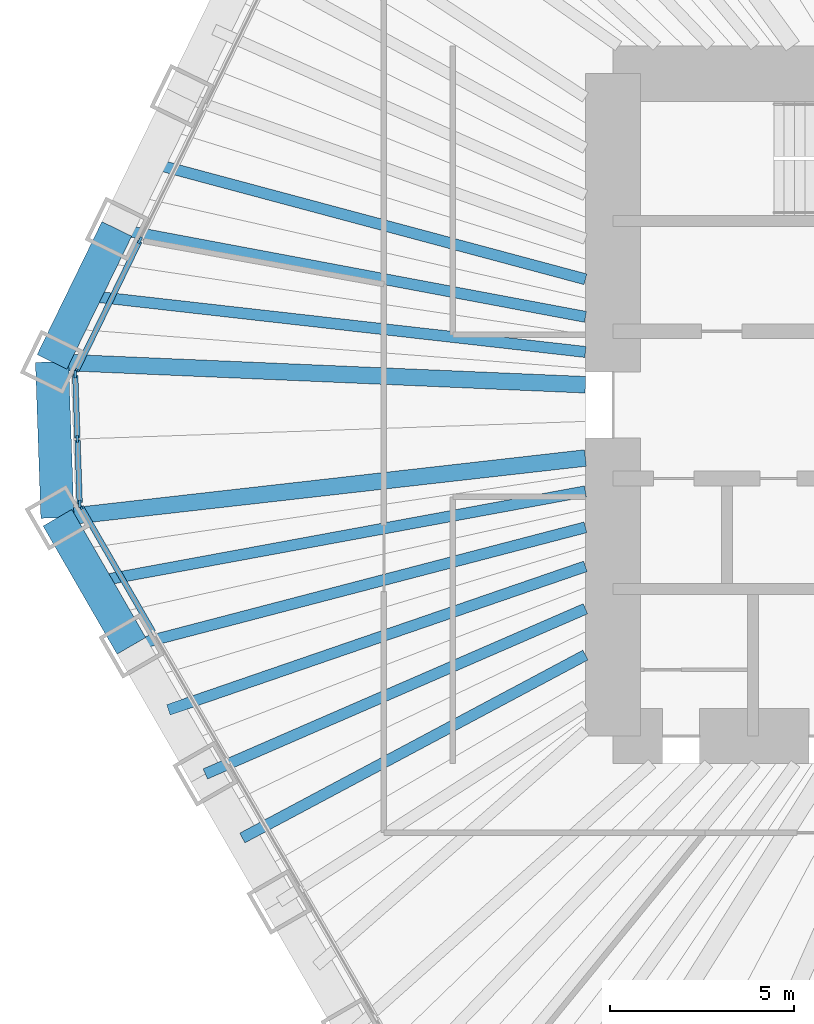
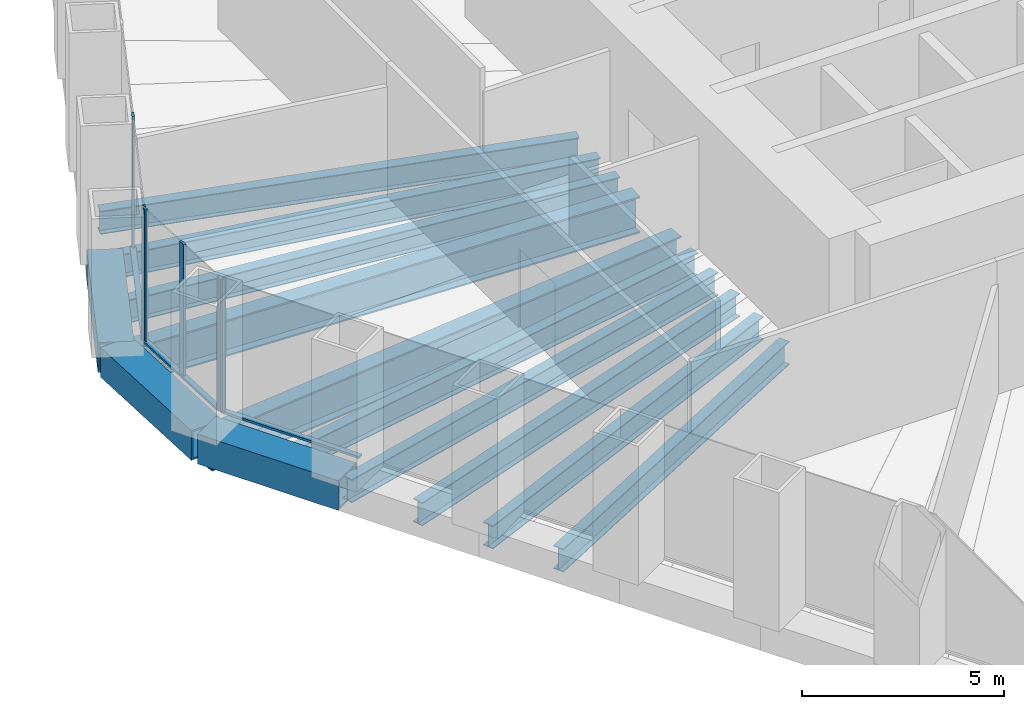
# One storey, part 3 of 13: 13 beams, 10 members, 3 elements without a shape of their own.
"""IFC4 building model written with IfcOpenShell, lengths in metres."""

from ifc_helpers import new_model, si_unit, direction, frame, origin, origin_2d, place, context, subcontext, project, spatial, rectangle, hollow_rectangle, i_section, extrude, material, material_profile, profile_set, type_object, element, aggregate, save


model = new_model("IFC4")

# Units and contexts
model_context = context("Model", 3, precision=1e-05, world=origin(), true_north=direction((0.0, 1.0)))
body_context = subcontext(model_context, "Body", "Model", "MODEL_VIEW")
ifc_project = project(units=[si_unit("LENGTHUNIT", "METRE"), si_unit("AREAUNIT", "SQUARE_METRE"), si_unit("VOLUMEUNIT", "CUBIC_METRE"), si_unit("PLANEANGLEUNIT", "RADIAN"), si_unit("MASSUNIT", "GRAM", prefix="KILO")], contexts=[model_context])

# Site, building, storey
site_placement = place(None, origin())
site = spatial("IfcSite", under=ifc_project, at=site_placement, CompositionType="ELEMENT")
building_placement = place(site_placement, origin())
building = spatial("IfcBuilding", under=site, at=building_placement, Name="Qingtian Harvest Tower", CompositionType="ELEMENT")
storey_placement = place(building_placement, frame((0.0, 0.0, 111.39990234375)))
storey = spatial("IfcBuildingStorey", under=building, at=storey_placement, Name="L22", CompositionType="ELEMENT", Elevation=111.39990234375)

# Beams
ifc_material_1 = material(Name="Steel SM570MC", Category="steel")
ifc_material_profile_1 = material_profile(ifc_material_1, i_section(OverallWidth=0.449951171875, OverallDepth=1.10009765625, WebThickness=0.02197265625, FlangeThickness=0.044921875, at=origin_2d()), Name="H1100x450x22x45")
ifc_profile_set_1 = profile_set([ifc_material_profile_1], Name="Steel SM570MC")
beam_type_1 = type_object("IfcBeamType", Name="Corner floor beam FB8 H1100x450x22x45", PredefinedType="BEAM", material=ifc_profile_set_1)
beam_1_placement = place(storey_placement, frame((-27.096923828125, -3.066650390625, -0.719970703125), z_axis=(0.993656070393, 0.112461610213, 0.0), x_axis=(-0.112461610213, 0.993656070393, 0.0)))
element("IfcBeam", 1, at=beam_1_placement, inside=storey, type_object=beam_type_1, Name="Floor beam FB8 SW6", PredefinedType="BEAM", context=body_context, shape_type="SweptSolid", body=[
    extrude(i_section(OverallWidth=0.449951171875, OverallDepth=1.10009765625, WebThickness=0.02197265625, FlangeThickness=0.044921875, at=origin_2d()), origin(), (0.0, 0.0, 1.0), 14.4384765625),
])
beam_2_placement = place(storey_placement, frame((-27.244873046875, 1.1689453125, -0.719970703125), z_axis=(0.999081074678, -0.042860310542, 0.0), x_axis=(0.042860310542, 0.999081074678, 0.0)))
element("IfcBeam", 2, at=beam_2_placement, inside=storey, type_object=beam_type_1, Name="Floor beam FB8 NW0", PredefinedType="BEAM", context=body_context, shape_type="SweptSolid", body=[
    extrude(i_section(OverallWidth=0.449951171875, OverallDepth=1.10009765625, WebThickness=0.02197265625, FlangeThickness=0.044921875, at=origin_2d()), origin(), (0.0, 0.0, 1.0), 14.50830078125),
])
ifc_material_2 = material(Name="Steel SN490B", Category="steel")
ifc_material_profile_2 = material_profile(ifc_material_2, i_section(OverallWidth=0.300048828125, OverallDepth=0.699951171875, WebThickness=0.012939453125, FlangeThickness=0.02392578125, at=origin_2d()), Name="H700x300x13x24")
ifc_profile_set_2 = profile_set([ifc_material_profile_2], Name="Steel SN490B")
beam_type_2 = type_object("IfcBeamType", Name="Floor beam FB2 H700x300x13x24", PredefinedType="BEAM", material=ifc_profile_set_2)
beam_3_placement = place(storey_placement, frame((-23.077880859375, -10.02783203125, -0.52001953125), z_axis=(0.917154138631, 0.398532666154, 0.0), x_axis=(-0.398532666154, 0.917154138631, 0.0)))
element("IfcBeam", 3, at=beam_3_placement, inside=storey, type_object=beam_type_2, Name="Floor beam FB2 SW4", PredefinedType="BEAM", context=body_context, shape_type="SweptSolid", body=[
    extrude(i_section(OverallWidth=0.300048828125, OverallDepth=0.699951171875, WebThickness=0.012939453125, FlangeThickness=0.02392578125, at=origin_2d()), origin(), (0.0, 0.0, 1.0), 11.2607421875),
])
beam_4_placement = place(storey_placement, frame((-25.08740234375, -6.547119140625, -0.52001953125), z_axis=(0.967592867696, 0.252515429991, 0.0), x_axis=(-0.252515429991, 0.967592867696, 0.0)))
element("IfcBeam", 4, at=beam_4_placement, inside=storey, type_object=beam_type_2, Name="Floor beam FB2 SW5", PredefinedType="BEAM", context=body_context, shape_type="SweptSolid", body=[
    extrude(i_section(OverallWidth=0.300048828125, OverallDepth=0.699951171875, WebThickness=0.012939453125, FlangeThickness=0.02392578125, at=origin_2d()), origin(), (0.0, 0.0, 1.0), 12.750732421875),
])
beam_5_placement = place(storey_placement, frame((-25.483154296875, 4.78125, -0.52001953125), z_axis=(0.982851913913, -0.184396625015, 0.0), x_axis=(0.184396625015, 0.982851913913, 0.0)))
element("IfcBeam", 5, at=beam_5_placement, inside=storey, type_object=beam_type_2, Name="Floor beam FB2 NW1", PredefinedType="BEAM", context=body_context, shape_type="SweptSolid", body=[
    extrude(i_section(OverallWidth=0.300048828125, OverallDepth=0.699951171875, WebThickness=0.012939453125, FlangeThickness=0.02392578125, at=origin_2d()), origin(), (0.0, 0.0, 1.0), 12.955322265625),
])
ifc_material_3 = material(Name="Steel SN490B", Category="steel")
ifc_material_profile_3 = material_profile(ifc_material_3, i_section(OverallWidth=0.300048828125, OverallDepth=0.699951171875, WebThickness=0.012939453125, FlangeThickness=0.02392578125, at=origin_2d()), Name="H700x300x13x24")
ifc_profile_set_3 = profile_set([ifc_material_profile_3], Name="Steel SN490B")
beam_type_3 = type_object("IfcBeamType", Name="Floor joist J2 H700x300x13x24", PredefinedType="JOIST", material=ifc_profile_set_3)
beam_6_placement = place(storey_placement, frame((-22.0732421875, -11.76806640625, -0.52001953125), z_axis=(0.882429048443, 0.47044550637, 0.0), x_axis=(-0.47044550637, 0.882429048443, 0.0)))
element("IfcBeam", 6, at=beam_6_placement, inside=storey, type_object=beam_type_3, Name="Floor joist J2 SW3", PredefinedType="JOIST", context=body_context, shape_type="SweptSolid", body=[
    extrude(i_section(OverallWidth=0.300048828125, OverallDepth=0.699951171875, WebThickness=0.012939453125, FlangeThickness=0.02392578125, at=origin_2d()), origin(), (0.0, 0.0, 1.0), 10.5654296875),
])
beam_7_placement = place(storey_placement, frame((-24.082763671875, -8.28759765625, -0.52001953125), z_axis=(0.945577150072, 0.325397992099, 0.0), x_axis=(-0.325397992099, 0.945577150072, 0.0)))
element("IfcBeam", 7, at=beam_7_placement, inside=storey, type_object=beam_type_3, Name="Floor joist J2 SW4", PredefinedType="JOIST", context=body_context, shape_type="SweptSolid", body=[
    extrude(i_section(OverallWidth=0.300048828125, OverallDepth=0.699951171875, WebThickness=0.012939453125, FlangeThickness=0.02392578125, at=origin_2d()), origin(), (0.0, 0.0, 1.0), 11.985107421875),
])
beam_8_placement = place(storey_placement, frame((-26.09228515625, -4.806884765625, -0.52001953125), z_axis=(0.983450319804, 0.181178002192, 0.0), x_axis=(-0.181178002192, 0.983450319804, 0.0)))
element("IfcBeam", 8, at=beam_8_placement, inside=storey, type_object=beam_type_3, Name="Floor joist J2 SW5", PredefinedType="JOIST", context=body_context, shape_type="SweptSolid", body=[
    extrude(i_section(OverallWidth=0.300048828125, OverallDepth=0.699951171875, WebThickness=0.012939453125, FlangeThickness=0.02392578125, at=origin_2d()), origin(), (0.0, 0.0, 1.0), 13.56689453125),
])
beam_9_placement = place(storey_placement, frame((-26.364013671875, 2.97509765625, -0.52001953125), z_axis=(0.993692330348, -0.112140771387, 0.0), x_axis=(0.112140771387, 0.993692330348, 0.0)))
element("IfcBeam", 9, at=beam_9_placement, inside=storey, type_object=beam_type_3, Name="Floor joist J2 NW0", PredefinedType="JOIST", context=body_context, shape_type="SweptSolid", body=[
    extrude(i_section(OverallWidth=0.300048828125, OverallDepth=0.699951171875, WebThickness=0.012939453125, FlangeThickness=0.02392578125, at=origin_2d()), origin(), (0.0, 0.0, 1.0), 13.700439453125),
])
beam_10_placement = place(storey_placement, frame((-24.60205078125, 6.58740234375, -0.52001953125), z_axis=(0.965969893862, -0.258654526641, 0.0), x_axis=(0.258654526641, 0.965969893862, 0.0)))
element("IfcBeam", 10, at=beam_10_placement, inside=storey, type_object=beam_type_3, Name="Floor joist J2 NW1", PredefinedType="JOIST", context=body_context, shape_type="SweptSolid", body=[
    extrude(i_section(OverallWidth=0.300048828125, OverallDepth=0.699951171875, WebThickness=0.012939453125, FlangeThickness=0.02392578125, at=origin_2d()), origin(), (0.0, 0.0, 1.0), 12.26953125),
])

# Curtain wall, member
ifc_material_4 = material(Name="Bronze-anodised aluminium curtain wall", Category="aluminium")
curtain_wall_type = type_object("IfcCurtainWallType", Name="Curtain wall CW4 office", PredefinedType="USERDEFINED", material=ifc_material_4)
curtain_wall_1_placement = place(storey_placement, origin())
curtain_wall_1 = element("IfcCurtainWall", 11, at=curtain_wall_1_placement, inside=storey, type_object=curtain_wall_type, Name="Curtain wall CW4 L22 SW0-5", ObjectType="RECESSED CURTAIN WALL", PredefinedType="USERDEFINED")
ifc_material_5 = material(Name="Bronze-anodised aluminium mullion", Category="aluminium")
ifc_material_profile_4 = material_profile(ifc_material_5, rectangle(XDim=0.06494140625, YDim=0.199951171875, at=origin_2d()), Name="AL 65x200")
ifc_profile_set_4 = profile_set([ifc_material_profile_4], Name="Bronze-anodised aluminium mullion")
member_type_1 = type_object("IfcMemberType", Name="Mullion CWM 65x200", PredefinedType="MULLION", material=ifc_profile_set_4)
member_1_placement = place(storey_placement, frame((-26.474609375, -2.744873046875, 0.0), z_axis=(0.0, 0.0, 1.0), x_axis=(-0.866025403784, -0.5, 0.0)))
member_1 = element("IfcMember", 12, at=member_1_placement, type_object=member_type_1, Name="CW4 mullion 7", PredefinedType="MULLION", context=body_context, shape_type="SweptSolid", body=[
    extrude(rectangle(XDim=0.06494140625, YDim=0.199951171875, at=origin_2d()), origin(), (0.0, 0.0, 1.0), 4.030029296875),
])

# Curtain wall, members
curtain_wall_2_placement = place(storey_placement, origin())
curtain_wall_2 = element("IfcCurtainWall", 13, at=curtain_wall_2_placement, inside=storey, type_object=curtain_wall_type, Name="Curtain wall CW4 L22 SWC", ObjectType="RECESSED CURTAIN WALL", PredefinedType="USERDEFINED")
member_2_placement = place(storey_placement, frame((-26.491943359375, -2.68408203125, 0.0), z_axis=(0.0, 0.0, 1.0), x_axis=(-0.999390827019, -0.034899496703, 0.0)))
member_2 = element("IfcMember", 14, at=member_2_placement, type_object=member_type_1, Name="CW4 mullion 1", PredefinedType="MULLION", context=body_context, shape_type="SweptSolid", body=[
    extrude(rectangle(XDim=0.06494140625, YDim=0.199951171875, at=origin_2d()), origin(), (0.0, 0.0, 1.0), 4.030029296875),
])
member_3_placement = place(storey_placement, frame((-26.55322265625, -0.92724609375, 0.0), z_axis=(0.0, 0.0, 1.0), x_axis=(-0.999390827019, -0.034899496703, 0.0)))
member_3 = element("IfcMember", 15, at=member_3_placement, type_object=member_type_1, Name="CW4 mullion 2", PredefinedType="MULLION", context=body_context, shape_type="SweptSolid", body=[
    extrude(rectangle(XDim=0.06494140625, YDim=0.199951171875, at=origin_2d()), origin(), (0.0, 0.0, 1.0), 4.030029296875),
])
member_4_placement = place(storey_placement, frame((-26.614501953125, 0.82958984375, 0.0), z_axis=(0.0, 0.0, 1.0), x_axis=(-0.999390827019, -0.034899496703, 0.0)))
member_4 = element("IfcMember", 16, at=member_4_placement, type_object=member_type_1, Name="CW4 mullion 3", PredefinedType="MULLION", context=body_context, shape_type="SweptSolid", body=[
    extrude(rectangle(XDim=0.06494140625, YDim=0.199951171875, at=origin_2d()), origin(), (0.0, 0.0, 1.0), 4.030029296875),
])

curtain_wall_3_placement = place(storey_placement, origin())
curtain_wall_3 = element("IfcCurtainWall", 17, at=curtain_wall_3_placement, inside=storey, type_object=curtain_wall_type, Name="Curtain wall CW4 L22 NW0-5", ObjectType="RECESSED CURTAIN WALL", PredefinedType="USERDEFINED")
member_5_placement = place(storey_placement, frame((-26.6015625, 0.891357421875, 0.0), z_axis=(0.0, 0.0, 1.0), x_axis=(-0.898794046299, 0.438371146789, 0.0)))
member_5 = element("IfcMember", 18, at=member_5_placement, type_object=member_type_1, Name="CW4 mullion 1", PredefinedType="MULLION", context=body_context, shape_type="SweptSolid", body=[
    extrude(rectangle(XDim=0.06494140625, YDim=0.199951171875, at=origin_2d()), origin(), (0.0, 0.0, 1.0), 4.030029296875),
])
member_6_placement = place(storey_placement, frame((-24.85400390625, 4.474365234375, 0.0), z_axis=(0.0, 0.0, 1.0), x_axis=(-0.898794046299, 0.438371146789, 0.0)))
member_6 = element("IfcMember", 19, at=member_6_placement, type_object=member_type_1, Name="CW4 mullion 2", PredefinedType="MULLION", context=body_context, shape_type="SweptSolid", body=[
    extrude(rectangle(XDim=0.06494140625, YDim=0.199951171875, at=origin_2d()), origin(), (0.0, 0.0, 1.0), 4.030029296875),
])

# Beams
ifc_material_6 = material(Name="Steel SM570MC", Category="steel")
ifc_material_profile_5 = material_profile(ifc_material_6, hollow_rectangle(XDim=0.89990234375, YDim=0.89990234375, WallThickness=0.050048828125, at=origin_2d()), Name="BOX900x900x50")
ifc_profile_set_5 = profile_set([ifc_material_profile_5], Name="Steel SM570MC")
beam_type_4 = type_object("IfcBeamType", Name="Transition spandrel SB6 BOX900x900x50", PredefinedType="SPANDREL", material=ifc_profile_set_5)
beam_11_placement = place(storey_placement, frame((-25.08740234375, -6.547119140625, -0.449951171875), z_axis=(-0.500013420409, 0.866017655369, 0.0), x_axis=(-0.866017655369, -0.500013420409, 0.0)))
element("IfcBeam", 20, at=beam_11_placement, inside=storey, type_object=beam_type_4, Name="Spandrel SB6 SW5", PredefinedType="SPANDREL", context=body_context, shape_type="SweptSolid", body=[
    extrude(hollow_rectangle(XDim=0.89990234375, YDim=0.89990234375, WallThickness=0.050048828125, at=origin_2d()), origin(), (0.0, 0.0, 1.0), 4.01904296875),
])
beam_12_placement = place(storey_placement, frame((-27.096923828125, -3.066650390625, -0.449951171875), z_axis=(-0.034908677553, 0.999390506375, 0.0), x_axis=(-0.999390506375, -0.034908677553, 0.0)))
element("IfcBeam", 21, at=beam_12_placement, inside=storey, type_object=beam_type_4, Name="Spandrel SB6 SWC", PredefinedType="SPANDREL", context=body_context, shape_type="SweptSolid", body=[
    extrude(hollow_rectangle(XDim=0.89990234375, YDim=0.89990234375, WallThickness=0.050048828125, at=origin_2d()), origin(), (0.0, 0.0, 1.0), 4.23828125),
])
beam_13_placement = place(storey_placement, frame((-27.244873046875, 1.1689453125, -0.449951171875), z_axis=(0.438347033158, 0.898805806902, 0.0), x_axis=(-0.898805806902, 0.438347033158, 0.0)))
element("IfcBeam", 22, at=beam_13_placement, inside=storey, type_object=beam_type_4, Name="Spandrel SB6 NW0", PredefinedType="SPANDREL", context=body_context, shape_type="SweptSolid", body=[
    extrude(hollow_rectangle(XDim=0.89990234375, YDim=0.89990234375, WallThickness=0.050048828125, at=origin_2d()), origin(), (0.0, 0.0, 1.0), 4.01904296875),
])

# Member
ifc_material_7 = material(Name="Bronze-anodised aluminium transom", Category="aluminium")
ifc_material_profile_6 = material_profile(ifc_material_7, rectangle(XDim=0.14990234375, YDim=0.06494140625, at=origin_2d()), Name="AL 65x150")
ifc_profile_set_6 = profile_set([ifc_material_profile_6], Name="Bronze-anodised aluminium transom")
member_type_2 = type_object("IfcMemberType", Name="Transom CWT 65x150", PredefinedType="USERDEFINED", material=ifc_profile_set_6)
member_7_placement = place(storey_placement, frame((-24.49755859375, -6.169189453125, 0.03271484375), z_axis=(-0.499975738995, 0.866039410429, 0.0), x_axis=(-0.866039410429, -0.499975738995, 0.0)))
member_7 = element("IfcMember", 23, at=member_7_placement, type_object=member_type_2, Name="CW4 transom 6.1", ObjectType="TRANSOM", PredefinedType="USERDEFINED", context=body_context, shape_type="SweptSolid", body=[
    extrude(rectangle(XDim=0.14990234375, YDim=0.06494140625, at=origin_2d()), origin(), (0.0, 0.0, 1.0), 3.921630859375),
])

aggregate(curtain_wall_1, [member_1, member_7])

member_8_placement = place(storey_placement, frame((-26.4931640625, -2.651611328125, 0.03271484375), z_axis=(-0.034899362377, 0.99939083171, 0.0), x_axis=(-0.99939083171, -0.034899362377, 0.0)))
member_8 = element("IfcMember", 24, at=member_8_placement, type_object=member_type_2, Name="CW4 transom 1.1", ObjectType="TRANSOM", PredefinedType="USERDEFINED", context=body_context, shape_type="SweptSolid", body=[
    extrude(rectangle(XDim=0.14990234375, YDim=0.06494140625, at=origin_2d()), origin(), (0.0, 0.0, 1.0), 1.69287109375),
])

member_9_placement = place(storey_placement, frame((-26.554443359375, -0.894775390625, 0.03271484375), z_axis=(-0.034899362377, 0.99939083171, 0.0), x_axis=(-0.99939083171, -0.034899362377, 0.0)))
member_9 = element("IfcMember", 25, at=member_9_placement, type_object=member_type_2, Name="CW4 transom 2.1", ObjectType="TRANSOM", PredefinedType="USERDEFINED", context=body_context, shape_type="SweptSolid", body=[
    extrude(rectangle(XDim=0.14990234375, YDim=0.06494140625, at=origin_2d()), origin(), (0.0, 0.0, 1.0), 1.69287109375),
])

aggregate(curtain_wall_2, [member_2, member_3, member_4, member_8, member_9])

member_10_placement = place(storey_placement, frame((-26.587158203125, 0.92041015625, 0.03271484375), z_axis=(0.438326734225, 0.898815706396, 0.0), x_axis=(-0.898815706396, 0.438326734225, 0.0)))
member_10 = element("IfcMember", 26, at=member_10_placement, type_object=member_type_2, Name="CW4 transom 1.1", ObjectType="TRANSOM", PredefinedType="USERDEFINED", context=body_context, shape_type="SweptSolid", body=[
    extrude(rectangle(XDim=0.14990234375, YDim=0.06494140625, at=origin_2d()), origin(), (0.0, 0.0, 1.0), 3.921630859375),
])

aggregate(curtain_wall_3, [member_5, member_6, member_10])

save(model, "model.ifc")
